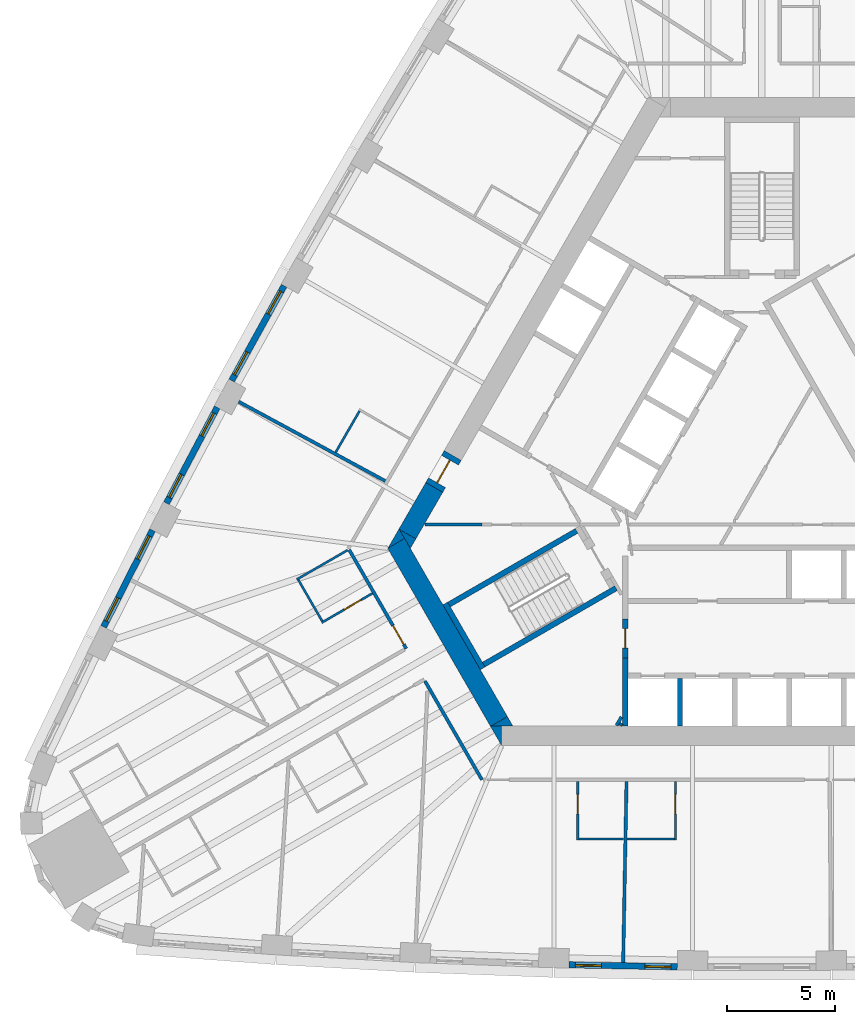
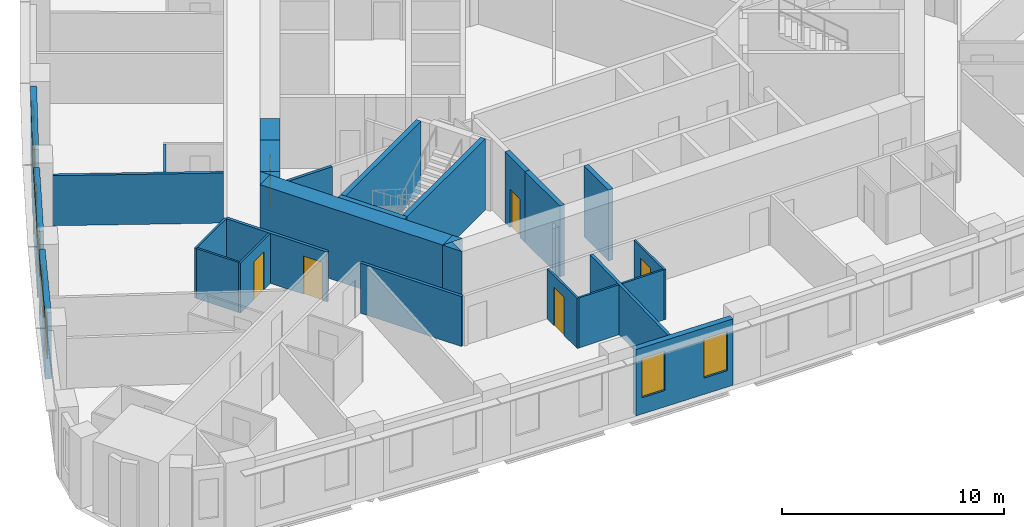
# One storey, part 4 of 13: 32 walls, 8 windows, 6 doors, 14 openings.
"""IFC4 building model written with IfcOpenShell, lengths in metres."""

from ifc_helpers import new_model, si_unit, direction, frame, frame_2d, origin, place, context, subcontext, project, spatial, polyline, rectangle, outline, extrude, material, layer, layer_set, type_object, element, fill, save


model = new_model("IFC4")

# Units and contexts
model_context = context("Model", 3, precision=1e-05, world=origin(), true_north=direction((0.0, 1.0)))
body_context = subcontext(model_context, "Body", "Model", "MODEL_VIEW")
ifc_project = project(units=[si_unit("LENGTHUNIT", "METRE"), si_unit("AREAUNIT", "SQUARE_METRE"), si_unit("VOLUMEUNIT", "CUBIC_METRE"), si_unit("PLANEANGLEUNIT", "RADIAN"), si_unit("MASSUNIT", "GRAM", prefix="KILO")], contexts=[model_context])

# Site, building, storey
site_placement = place(None, origin())
site = spatial("IfcSite", under=ifc_project, at=site_placement, CompositionType="ELEMENT")
building_placement = place(site_placement, origin())
building = spatial("IfcBuilding", under=site, at=building_placement, Name="Mestral Congress Tower", CompositionType="ELEMENT")
storey_placement = place(building_placement, frame((0.0, 0.0, 54.89990234375)))
storey = spatial("IfcBuildingStorey", under=building, at=storey_placement, Name="L12", CompositionType="ELEMENT", Elevation=54.89990234375)

# Walls
ifc_material_1 = material(Name="Fire-rated board partition")
ifc_layer_1 = layer(ifc_material_1, 0.14990234375)
ifc_layer_set_1 = layer_set([ifc_layer_1], Name="Fire-rated board partition")
wall_type_1 = type_object("IfcWallType", Name="Core partition 150", PredefinedType="PARTITIONING", material=ifc_layer_set_1)
wall_1_placement = place(storey_placement, frame((-6.707763671875, -12.068115234375, 0.0), z_axis=(0.0, 0.0, 1.0), x_axis=(0.500000789788, 0.8660249478, 0.0)))
element("IfcWall", 1, at=wall_1_placement, inside=storey, type_object=wall_type_1, Name="L12 core wall", PredefinedType="PARTITIONING", context=body_context, shape_type="SweptSolid", body=[
    extrude(rectangle(XDim=0.45556640625, YDim=0.14990234375, at=frame_2d((0.227783203125, 0.0))), origin(), (0.0, 0.0, 1.0), 2.75),
])
wall_2_placement = place(storey_placement, frame((-6.534423828125, -12.068115234375, 0.0), z_axis=(0.0, 0.0, 1.0), x_axis=(0.500240224089, 0.865886665912, 0.0)))
element("IfcWall", 2, at=wall_2_placement, inside=storey, type_object=wall_type_1, Name="L12 core wall", PredefinedType="PARTITIONING", context=body_context, shape_type="SweptSolid", body=[
    extrude(rectangle(XDim=0.10888671875, YDim=0.14990234375, at=frame_2d((0.054443359375, 0.0))), origin(), (0.0, 0.0, 1.0), 2.75),
])
wall_3_placement = place(storey_placement, frame((-12.9150390625, -2.800048828125, 0.0), z_axis=(0.0, 0.0, 1.0), x_axis=(-1.0, 0.0, 0.0)))
element("IfcWall", 3, at=wall_3_placement, inside=storey, type_object=wall_type_1, Name="L12 core wall", PredefinedType="PARTITIONING", context=body_context, shape_type="SweptSolid", body=[
    extrude(rectangle(XDim=2.63671875, YDim=0.14990234375, at=frame_2d((1.318359375, 0.0))), origin(), (0.0, 0.0, 1.0), 2.75),
])
ifc_material_2 = material(Name="Concrete C60/75", Category="concrete")
ifc_layer_2 = layer(ifc_material_2, 0.89990234375)
ifc_layer_set_2 = layer_set([ifc_layer_2], Name="Concrete C60/75")
wall_type_2 = type_object("IfcWallType", Name="Core wall RC 900", PredefinedType="SOLIDWALL", material=ifc_layer_set_2)
placement = place(storey_placement, origin())
element("IfcWall", 4, at=placement, inside=storey, type_object=wall_type_2, Name="L12 core wall", PredefinedType="SOLIDWALL", context=body_context, shape_type="SweptSolid", body=[
    extrude(outline(polyline([(-12.528564453125, -12.10009765625), (-12.0205078125, -12.10009765625), (-12.0205078125, -12.97998046875), (-12.528564453125, -12.10009765625)])), origin(), (0.0, 0.0, 1.0), 3.900146484375),
])
wall_5_placement = place(storey_placement, frame((-12.134033203125, -11.88330078125, 0.0), z_axis=(0.0, 0.0, 1.0), x_axis=(-0.500005339912, 0.866022320763, 0.0)))
element("IfcWall", 5, at=wall_5_placement, inside=storey, type_object=wall_type_2, Name="L12 core wall", PredefinedType="SOLIDWALL", context=body_context, shape_type="SweptSolid", body=[
    extrude(rectangle(XDim=9.48779296875, YDim=0.89990234375, at=frame_2d((4.743896484375, 0.0))), origin(), (0.0, 0.0, 1.0), 3.900146484375),
])
element("IfcWall", 6, at=placement, inside=storey, type_object=wall_type_2, Name="L12 core wall", PredefinedType="SOLIDWALL", context=body_context, shape_type="SweptSolid", body=[
    extrude(outline(polyline([(-16.4892578125, -3.43994140625), (-17.251220703125, -3.8798828125), (-16.7431640625, -3.0), (-16.4892578125, -3.43994140625)])), origin(), (0.0, 0.0, 1.0), 3.900146484375),
])
element("IfcWall", 7, at=placement, inside=storey, type_object=wall_type_2, Name="L12 core wall", PredefinedType="SOLIDWALL", context=body_context, shape_type="SweptSolid", body=[
    extrude(outline(polyline([(-11.4892578125, -12.10009765625), (-12.50537109375, -12.10009765625), (-11.743408203125, -11.66015625), (-11.4892578125, -12.10009765625)])), origin(), (0.0, 0.0, 1.0), 3.900146484375),
])
wall_8_placement = place(storey_placement, frame((-15.117919921875, -1.085205078125, 0.0), z_axis=(0.0, 0.0, 1.0), x_axis=(-0.50006606081, -0.865987260198, 0.0)))
element("IfcWall", 8, at=wall_8_placement, inside=storey, type_object=wall_type_2, Name="L12 core wall", PredefinedType="SOLIDWALL", context=body_context, shape_type="SweptSolid", body=[
    extrude(rectangle(XDim=2.480712890625, YDim=0.89990234375, at=frame_2d((1.240234375, 0.0))), origin(), (0.0, 0.0, 1.0), 3.900146484375),
])
element("IfcWall", 9, at=placement, inside=storey, type_object=wall_type_2, Name="L12 core wall", PredefinedType="SOLIDWALL", context=body_context, shape_type="SweptSolid", body=[
    extrude(outline(polyline([(-16.223388671875, -3.89990234375), (-16.731689453125, -3.02001953125), (-15.969482421875, -3.460205078125), (-16.223388671875, -3.89990234375)])), origin(), (0.0, 0.0, 1.0), 3.900146484375),
])

# Wall, opening, door
wall_10_placement = place(storey_placement, frame((-15.117919921875, -1.085205078125, 0.0), z_axis=(0.0, 0.0, 1.0), x_axis=(0.500000056704, 0.866025371046, 0.0)))
wall_10 = element("IfcWall", 10, at=wall_10_placement, inside=storey, type_object=wall_type_2, Name="L12 door wall", PredefinedType="SOLIDWALL", context=body_context, shape_type="SweptSolid", body=[
    extrude(rectangle(XDim=1.7001953125, YDim=0.89990234375, at=frame_2d((0.85009765625, 0.0))), origin(), (0.0, 0.0, 1.0), 3.900146484375),
])
opening_1_placement = place(wall_10_placement, frame((0.25, 0.0, 0.0)))
opening_1 = element("IfcOpeningElement", 11, at=opening_1_placement, cuts=wall_10, Name="Opening XD3", PredefinedType="OPENING", context=body_context, shape_type="SweptSolid", body=[
    extrude(rectangle(XDim=1.199951171875, YDim=2.10009765625, at=frame_2d((0.60009765625, 1.050048828125))), frame((0.0, 0.4599609375, 0.0), z_axis=(0.0, -1.0, 0.0), x_axis=(1.0, 0.0, 0.0)), (0.0, 0.0, 1.0), 0.919921875),
])
ifc_material_3 = material(Name="Fire-rated steel door set", Category="steel")
door_type_1 = type_object("IfcDoorType", Name="Core door XD 1200x2100", OperationType="SINGLE_SWING_LEFT", PredefinedType="DOOR", material=ifc_material_3)
door_1_placement = place(opening_1_placement, origin())
door_1 = element("IfcDoor", 12, at=door_1_placement, inside=storey, type_object=door_type_1, Name="Door XD3", OperationType="SINGLE_SWING_LEFT", OverallHeight=2.10009765625, OverallWidth=1.199951171875, PredefinedType="DOOR", context=body_context, shape_type="SweptSolid", body=[
    extrude(rectangle(XDim=1.199951171875, YDim=2.10009765625, at=frame_2d((0.60009765625, 1.050048828125))), frame((0.0, 0.02490234375, 0.0), z_axis=(0.0, -1.0, 0.0), x_axis=(1.0, 0.0, 0.0)), (0.0, 0.0, 1.0), 0.050048828125),
])
fill(opening_1, door_1)

# Wall, openings, windows
ifc_material_4 = material(Name="Precast concrete C40/50 with limestone facing", Category="masonry")
ifc_layer_3 = layer(ifc_material_4, 0.2900390625)
ifc_layer_set_3 = layer_set([ifc_layer_3], Name="Precast concrete C40/50 with limestone facing")
wall_type_3 = type_object("IfcWallType", Name="Facade stone wall 290", PredefinedType="SOLIDWALL", material=ifc_layer_set_3)
wall_11_placement = place(storey_placement, frame((-8.903564453125, -23.11279296875, 0.0), z_axis=(0.0, 0.0, 1.0), x_axis=(0.999829529479, -0.018463801951, 0.0)))
wall_11 = element("IfcWall", 13, at=wall_11_placement, inside=storey, type_object=wall_type_3, Name="Facade wall F0-03", PredefinedType="SOLIDWALL", context=body_context, shape_type="SweptSolid", body=[
    extrude(rectangle(XDim=4.998046875, YDim=0.2900390625, at=frame_2d((2.4990234375, 0.0))), origin(), (0.0, 0.0, 1.0), 3.650146484375),
])
opening_2_placement = place(wall_11_placement, frame((0.297119140625, 0.0, 0.89990234375)))
opening_2 = element("IfcOpeningElement", 14, at=opening_2_placement, cuts=wall_11, Name="Opening W1", PredefinedType="OPENING", context=body_context, shape_type="SweptSolid", body=[
    extrude(rectangle(XDim=1.199951171875, YDim=2.14990234375, at=frame_2d((0.60009765625, 1.074951171875))), frame((0.0, 0.155029296875, 0.0), z_axis=(0.0, -1.0, 0.0), x_axis=(1.0, 0.0, 0.0)), (0.0, 0.0, 1.0), 0.31005859375),
])
opening_3_placement = place(wall_11_placement, frame((3.501220703125, 0.0, 0.89990234375)))
opening_3 = element("IfcOpeningElement", 15, at=opening_3_placement, cuts=wall_11, Name="Opening W1", PredefinedType="OPENING", context=body_context, shape_type="SweptSolid", body=[
    extrude(rectangle(XDim=1.199951171875, YDim=2.14990234375, at=frame_2d((0.60009765625, 1.074951171875))), frame((0.0, 0.155029296875, 0.0), z_axis=(0.0, -1.0, 0.0), x_axis=(1.0, 0.0, 0.0)), (0.0, 0.0, 1.0), 0.31005859375),
])
ifc_material_5 = material(Name="Clear low-emissivity double glazing", Category="glass")
window_type = type_object("IfcWindowType", Name="Facade punched window 1200 x 2150 sill 900", PartitioningType="DOUBLE_PANEL_VERTICAL", PredefinedType="WINDOW", material=ifc_material_5)
window_1_placement = place(opening_2_placement, origin())
window_1 = element("IfcWindow", 16, at=window_1_placement, inside=storey, type_object=window_type, Name="Window F0-03a", OverallHeight=2.14990234375, OverallWidth=1.199951171875, PartitioningType="DOUBLE_PANEL_VERTICAL", PredefinedType="WINDOW", context=body_context, shape_type="SweptSolid", body=[
    extrude(rectangle(XDim=1.199951171875, YDim=2.14990234375, at=frame_2d((0.60009765625, 1.074951171875))), frame((0.0, 0.01513671875, 0.0), z_axis=(0.0, -1.0, 0.0), x_axis=(1.0, 0.0, 0.0)), (0.0, 0.0, 1.0), 0.06005859375),
])
fill(opening_2, window_1)
window_2_placement = place(opening_3_placement, origin())
window_2 = element("IfcWindow", 17, at=window_2_placement, inside=storey, type_object=window_type, Name="Window F0-03b", OverallHeight=2.14990234375, OverallWidth=1.199951171875, PartitioningType="DOUBLE_PANEL_VERTICAL", PredefinedType="WINDOW", context=body_context, shape_type="SweptSolid", body=[
    extrude(rectangle(XDim=1.199951171875, YDim=2.14990234375, at=frame_2d((0.60009765625, 1.074951171875))), frame((0.0, 0.01513671875, 0.0), z_axis=(0.0, -1.0, 0.0), x_axis=(1.0, 0.0, 0.0)), (0.0, 0.0, 1.0), 0.06005859375),
])
fill(opening_3, window_2)

wall_12_placement = place(storey_placement, frame((-22.049560546875, 8.2197265625, 0.0), z_axis=(0.0, 0.0, 1.0), x_axis=(-0.483912572871, -0.875116347589, 0.0)))
wall_12 = element("IfcWall", 18, at=wall_12_placement, inside=storey, type_object=wall_type_3, Name="Facade wall F2-05", PredefinedType="SOLIDWALL", context=body_context, shape_type="SweptSolid", body=[
    extrude(rectangle(XDim=4.998291015625, YDim=0.2900390625, at=frame_2d((2.4990234375, 0.0))), origin(), (0.0, 0.0, 1.0), 3.650146484375),
])
opening_4_placement = place(wall_12_placement, frame((0.297119140625, 0.0, 0.89990234375)))
opening_4 = element("IfcOpeningElement", 19, at=opening_4_placement, cuts=wall_12, Name="Opening W1", PredefinedType="OPENING", context=body_context, shape_type="SweptSolid", body=[
    extrude(rectangle(XDim=1.199951171875, YDim=2.14990234375, at=frame_2d((0.60009765625, 1.074951171875))), frame((0.0, 0.155029296875, 0.0), z_axis=(0.0, -1.0, 0.0), x_axis=(1.0, 0.0, 0.0)), (0.0, 0.0, 1.0), 0.31005859375),
])
opening_5_placement = place(wall_12_placement, frame((3.501220703125, 0.0, 0.89990234375)))
opening_5 = element("IfcOpeningElement", 20, at=opening_5_placement, cuts=wall_12, Name="Opening W1", PredefinedType="OPENING", context=body_context, shape_type="SweptSolid", body=[
    extrude(rectangle(XDim=1.199951171875, YDim=2.14990234375, at=frame_2d((0.60009765625, 1.074951171875))), frame((0.0, 0.155029296875, 0.0), z_axis=(0.0, -1.0, 0.0), x_axis=(1.0, 0.0, 0.0)), (0.0, 0.0, 1.0), 0.31005859375),
])
window_3_placement = place(opening_4_placement, origin())
window_3 = element("IfcWindow", 21, at=window_3_placement, inside=storey, type_object=window_type, Name="Window F2-05a", OverallHeight=2.14990234375, OverallWidth=1.199951171875, PartitioningType="DOUBLE_PANEL_VERTICAL", PredefinedType="WINDOW", context=body_context, shape_type="SweptSolid", body=[
    extrude(rectangle(XDim=1.199951171875, YDim=2.14990234375, at=frame_2d((0.60009765625, 1.074951171875))), frame((0.0, 0.01513671875, 0.0), z_axis=(0.0, -1.0, 0.0), x_axis=(1.0, 0.0, 0.0)), (0.0, 0.0, 1.0), 0.06005859375),
])
fill(opening_4, window_3)
window_4_placement = place(opening_5_placement, origin())
window_4 = element("IfcWindow", 22, at=window_4_placement, inside=storey, type_object=window_type, Name="Window F2-05b", OverallHeight=2.14990234375, OverallWidth=1.199951171875, PartitioningType="DOUBLE_PANEL_VERTICAL", PredefinedType="WINDOW", context=body_context, shape_type="SweptSolid", body=[
    extrude(rectangle(XDim=1.199951171875, YDim=2.14990234375, at=frame_2d((0.60009765625, 1.074951171875))), frame((0.0, 0.01513671875, 0.0), z_axis=(0.0, -1.0, 0.0), x_axis=(1.0, 0.0, 0.0)), (0.0, 0.0, 1.0), 0.06005859375),
])
fill(opening_5, window_4)

wall_13_placement = place(storey_placement, frame((-25.1376953125, 2.60791015625, 0.0), z_axis=(0.0, 0.0, 1.0), x_axis=(-0.467629620899, -0.883924509026, 0.0)))
wall_13 = element("IfcWall", 23, at=wall_13_placement, inside=storey, type_object=wall_type_3, Name="Facade wall F2-06", PredefinedType="SOLIDWALL", context=body_context, shape_type="SweptSolid", body=[
    extrude(rectangle(XDim=4.998291015625, YDim=0.2900390625, at=frame_2d((2.4990234375, 0.0))), origin(), (0.0, 0.0, 1.0), 3.650146484375),
])
opening_6_placement = place(wall_13_placement, frame((0.297119140625, 0.0, 0.89990234375)))
opening_6 = element("IfcOpeningElement", 24, at=opening_6_placement, cuts=wall_13, Name="Opening W1", PredefinedType="OPENING", context=body_context, shape_type="SweptSolid", body=[
    extrude(rectangle(XDim=1.199951171875, YDim=2.14990234375, at=frame_2d((0.60009765625, 1.074951171875))), frame((0.0, 0.155029296875, 0.0), z_axis=(0.0, -1.0, 0.0), x_axis=(1.0, 0.0, 0.0)), (0.0, 0.0, 1.0), 0.31005859375),
])
opening_7_placement = place(wall_13_placement, frame((3.501220703125, 0.0, 0.89990234375)))
opening_7 = element("IfcOpeningElement", 25, at=opening_7_placement, cuts=wall_13, Name="Opening W1", PredefinedType="OPENING", context=body_context, shape_type="SweptSolid", body=[
    extrude(rectangle(XDim=1.199951171875, YDim=2.14990234375, at=frame_2d((0.60009765625, 1.074951171875))), frame((0.0, 0.155029296875, 0.0), z_axis=(0.0, -1.0, 0.0), x_axis=(1.0, 0.0, 0.0)), (0.0, 0.0, 1.0), 0.31005859375),
])
window_5_placement = place(opening_6_placement, origin())
window_5 = element("IfcWindow", 26, at=window_5_placement, inside=storey, type_object=window_type, Name="Window F2-06a", OverallHeight=2.14990234375, OverallWidth=1.199951171875, PartitioningType="DOUBLE_PANEL_VERTICAL", PredefinedType="WINDOW", context=body_context, shape_type="SweptSolid", body=[
    extrude(rectangle(XDim=1.199951171875, YDim=2.14990234375, at=frame_2d((0.60009765625, 1.074951171875))), frame((0.0, 0.01513671875, 0.0), z_axis=(0.0, -1.0, 0.0), x_axis=(1.0, 0.0, 0.0)), (0.0, 0.0, 1.0), 0.06005859375),
])
fill(opening_6, window_5)
window_6_placement = place(opening_7_placement, origin())
window_6 = element("IfcWindow", 27, at=window_6_placement, inside=storey, type_object=window_type, Name="Window F2-06b", OverallHeight=2.14990234375, OverallWidth=1.199951171875, PartitioningType="DOUBLE_PANEL_VERTICAL", PredefinedType="WINDOW", context=body_context, shape_type="SweptSolid", body=[
    extrude(rectangle(XDim=1.199951171875, YDim=2.14990234375, at=frame_2d((0.60009765625, 1.074951171875))), frame((0.0, 0.01513671875, 0.0), z_axis=(0.0, -1.0, 0.0), x_axis=(1.0, 0.0, 0.0)), (0.0, 0.0, 1.0), 0.06005859375),
])
fill(opening_7, window_6)

wall_14_placement = place(storey_placement, frame((-28.12158203125, -3.06005859375, 0.0), z_axis=(0.0, 0.0, 1.0), x_axis=(-0.451233929645, -0.892405704115, 0.0)))
wall_14 = element("IfcWall", 28, at=wall_14_placement, inside=storey, type_object=wall_type_3, Name="Facade wall F2-07", PredefinedType="SOLIDWALL", context=body_context, shape_type="SweptSolid", body=[
    extrude(rectangle(XDim=4.998291015625, YDim=0.2900390625, at=frame_2d((2.4990234375, 0.0))), origin(), (0.0, 0.0, 1.0), 3.650146484375),
])
opening_8_placement = place(wall_14_placement, frame((0.297119140625, 0.0, 0.89990234375)))
opening_8 = element("IfcOpeningElement", 29, at=opening_8_placement, cuts=wall_14, Name="Opening W1", PredefinedType="OPENING", context=body_context, shape_type="SweptSolid", body=[
    extrude(rectangle(XDim=1.199951171875, YDim=2.14990234375, at=frame_2d((0.60009765625, 1.074951171875))), frame((0.0, 0.155029296875, 0.0), z_axis=(0.0, -1.0, 0.0), x_axis=(1.0, 0.0, 0.0)), (0.0, 0.0, 1.0), 0.31005859375),
])
opening_9_placement = place(wall_14_placement, frame((3.501220703125, 0.0, 0.89990234375)))
opening_9 = element("IfcOpeningElement", 30, at=opening_9_placement, cuts=wall_14, Name="Opening W1", PredefinedType="OPENING", context=body_context, shape_type="SweptSolid", body=[
    extrude(rectangle(XDim=1.199951171875, YDim=2.14990234375, at=frame_2d((0.60009765625, 1.074951171875))), frame((0.0, 0.155029296875, 0.0), z_axis=(0.0, -1.0, 0.0), x_axis=(1.0, 0.0, 0.0)), (0.0, 0.0, 1.0), 0.31005859375),
])
window_7_placement = place(opening_8_placement, origin())
window_7 = element("IfcWindow", 31, at=window_7_placement, inside=storey, type_object=window_type, Name="Window F2-07a", OverallHeight=2.14990234375, OverallWidth=1.199951171875, PartitioningType="DOUBLE_PANEL_VERTICAL", PredefinedType="WINDOW", context=body_context, shape_type="SweptSolid", body=[
    extrude(rectangle(XDim=1.199951171875, YDim=2.14990234375, at=frame_2d((0.60009765625, 1.074951171875))), frame((0.0, 0.01513671875, 0.0), z_axis=(0.0, -1.0, 0.0), x_axis=(1.0, 0.0, 0.0)), (0.0, 0.0, 1.0), 0.06005859375),
])
fill(opening_8, window_7)
window_8_placement = place(opening_9_placement, origin())
window_8 = element("IfcWindow", 32, at=window_8_placement, inside=storey, type_object=window_type, Name="Window F2-07b", OverallHeight=2.14990234375, OverallWidth=1.199951171875, PartitioningType="DOUBLE_PANEL_VERTICAL", PredefinedType="WINDOW", context=body_context, shape_type="SweptSolid", body=[
    extrude(rectangle(XDim=1.199951171875, YDim=2.14990234375, at=frame_2d((0.60009765625, 1.074951171875))), frame((0.0, 0.01513671875, 0.0), z_axis=(0.0, -1.0, 0.0), x_axis=(1.0, 0.0, 0.0)), (0.0, 0.0, 1.0), 0.06005859375),
])
fill(opening_9, window_8)

# Wall, opening, door
ifc_material_6 = material(Name="Gypsum board partition on metal studs with mineral wool", Category="composite")
ifc_layer_4 = layer(ifc_material_6, 0.10009765625)
ifc_layer_set_4 = layer_set([ifc_layer_4], Name="Gypsum board partition on metal studs with mineral wool")
wall_type_4 = type_object("IfcWallType", Name="Hotel partition wall 100", PredefinedType="PARTITIONING", material=ifc_layer_set_4)
wall_15_placement = place(storey_placement, frame((-8.501708984375, -14.64990234375, 0.0), z_axis=(0.0, 0.0, 1.0), x_axis=(0.0, -1.0, 0.0)))
wall_15 = element("IfcWall", 33, at=wall_15_placement, inside=storey, type_object=wall_type_4, Name="L12-h-pod03a", PredefinedType="PARTITIONING", context=body_context, shape_type="SweptSolid", body=[
    extrude(rectangle(XDim=2.7001953125, YDim=0.10009765625, at=frame_2d((1.35009765625, 0.0))), origin(), (0.0, 0.0, 1.0), 2.75),
])
opening_10_placement = place(wall_15_placement, frame((0.60009765625, 0.0, 0.0)))
opening_10 = element("IfcOpeningElement", 34, at=opening_10_placement, cuts=wall_15, Name="Opening H03-006", PredefinedType="OPENING", context=body_context, shape_type="SweptSolid", body=[
    extrude(rectangle(XDim=0.89990234375, YDim=2.10009765625, at=frame_2d((0.449951171875, 1.050048828125))), frame((0.0, 0.06005859375, 0.0), z_axis=(0.0, -1.0, 0.0), x_axis=(1.0, 0.0, 0.0)), (0.0, 0.0, 1.0), 0.1201171875),
])
ifc_material_7 = material(Name="Timber veneer door leaf in timber frame", Category="wood")
door_type_2 = type_object("IfcDoorType", Name="Bathroom door 900", OperationType="SINGLE_SWING_LEFT", PredefinedType="DOOR", material=ifc_material_7)
door_2_placement = place(opening_10_placement, origin())
door_2 = element("IfcDoor", 35, at=door_2_placement, inside=storey, type_object=door_type_2, Name="L12-h-d006", OperationType="SINGLE_SWING_RIGHT", OverallHeight=2.10009765625, OverallWidth=0.89990234375, PredefinedType="DOOR", context=body_context, shape_type="SweptSolid", body=[
    extrude(rectangle(XDim=0.89990234375, YDim=2.10009765625, at=frame_2d((0.449951171875, 1.050048828125))), frame((0.0, 0.02490234375, 0.0), z_axis=(0.0, -1.0, 0.0), x_axis=(1.0, 0.0, 0.0)), (0.0, 0.0, 1.0), 0.050048828125),
])
fill(opening_10, door_2)

# Wall
wall_16_placement = place(storey_placement, frame((-8.45166015625, -17.300048828125, 0.0), z_axis=(0.0, 0.0, 1.0), x_axis=(1.0, 0.0, 0.0)))
element("IfcWall", 36, at=wall_16_placement, inside=storey, type_object=wall_type_4, Name="L12-h-pod03b", PredefinedType="PARTITIONING", context=body_context, shape_type="SweptSolid", body=[
    extrude(rectangle(XDim=2.070068359375, YDim=0.10009765625, at=frame_2d((1.03515625, 0.0))), origin(), (0.0, 0.0, 1.0), 2.75),
])

# Wall, opening, door
wall_17_placement = place(storey_placement, frame((-3.994384765625, -17.35009765625, 0.0), z_axis=(0.0, 0.0, 1.0), x_axis=(0.0, 1.0, 0.0)))
wall_17 = element("IfcWall", 37, at=wall_17_placement, inside=storey, type_object=wall_type_4, Name="L12-h-pod04a", PredefinedType="PARTITIONING", context=body_context, shape_type="SweptSolid", body=[
    extrude(rectangle(XDim=2.7001953125, YDim=0.10009765625, at=frame_2d((1.35009765625, 0.0))), origin(), (0.0, 0.0, 1.0), 2.75),
])
opening_11_placement = place(wall_17_placement, frame((1.199951171875, 0.0, 0.0)))
opening_11 = element("IfcOpeningElement", 38, at=opening_11_placement, cuts=wall_17, Name="Opening H03-008", PredefinedType="OPENING", context=body_context, shape_type="SweptSolid", body=[
    extrude(rectangle(XDim=0.89990234375, YDim=2.10009765625, at=frame_2d((0.449951171875, 1.050048828125))), frame((0.0, 0.06005859375, 0.0), z_axis=(0.0, -1.0, 0.0), x_axis=(1.0, 0.0, 0.0)), (0.0, 0.0, 1.0), 0.1201171875),
])
door_3_placement = place(opening_11_placement, origin())
door_3 = element("IfcDoor", 39, at=door_3_placement, inside=storey, type_object=door_type_2, Name="L12-h-d008", OperationType="SINGLE_SWING_LEFT", OverallHeight=2.10009765625, OverallWidth=0.89990234375, PredefinedType="DOOR", context=body_context, shape_type="SweptSolid", body=[
    extrude(rectangle(XDim=0.89990234375, YDim=2.10009765625, at=frame_2d((0.449951171875, 1.050048828125))), frame((0.0, 0.02490234375, 0.0), z_axis=(0.0, -1.0, 0.0), x_axis=(1.0, 0.0, 0.0)), (0.0, 0.0, 1.0), 0.050048828125),
])
fill(opening_11, door_3)

# Walls
wall_18_placement = place(storey_placement, frame((-4.044189453125, -17.300048828125, 0.0), z_axis=(0.0, 0.0, 1.0), x_axis=(-1.0, 0.0, 0.0)))
element("IfcWall", 40, at=wall_18_placement, inside=storey, type_object=wall_type_4, Name="L12-h-pod04b", PredefinedType="PARTITIONING", context=body_context, shape_type="SweptSolid", body=[
    extrude(rectangle(XDim=2.170166015625, YDim=0.10009765625, at=frame_2d((1.0849609375, 0.0))), origin(), (0.0, 0.0, 1.0), 2.75),
])
wall_19_placement = place(storey_placement, frame((-18.5673828125, 2.440673828125, 0.0), z_axis=(0.0, 0.0, 1.0), x_axis=(-0.499946605688, -0.86605622881, 0.0)))
element("IfcWall", 41, at=wall_19_placement, inside=storey, type_object=wall_type_4, Name="L12-h-pod23b", PredefinedType="PARTITIONING", context=body_context, shape_type="SweptSolid", body=[
    extrude(rectangle(XDim=2.199951171875, YDim=0.10009765625, at=frame_2d((1.10009765625, 0.0))), origin(), (0.0, 0.0, 1.0), 2.75),
])

# Wall, opening, door
wall_20_placement = place(storey_placement, frame((-20.3095703125, -7.32275390625, 0.0), z_axis=(0.0, 0.0, 1.0), x_axis=(0.86599734893, 0.500048589285, 0.0)))
wall_20 = element("IfcWall", 42, at=wall_20_placement, inside=storey, type_object=wall_type_4, Name="L12-h-pod24a", PredefinedType="PARTITIONING", context=body_context, shape_type="SweptSolid", body=[
    extrude(rectangle(XDim=2.699951171875, YDim=0.10009765625, at=frame_2d((1.35009765625, 0.0))), origin(), (0.0, 0.0, 1.0), 2.75),
])
opening_12_placement = place(wall_20_placement, frame((1.199951171875, 0.0, 0.0)))
opening_12 = element("IfcOpeningElement", 43, at=opening_12_placement, cuts=wall_20, Name="Opening H03-046", PredefinedType="OPENING", context=body_context, shape_type="SweptSolid", body=[
    extrude(rectangle(XDim=0.89990234375, YDim=2.10009765625, at=frame_2d((0.449951171875, 1.050048828125))), frame((0.0, 0.06005859375, 0.0), z_axis=(0.0, -1.0, 0.0), x_axis=(1.0, 0.0, 0.0)), (0.0, 0.0, 1.0), 0.1201171875),
])
door_4_placement = place(opening_12_placement, origin())
door_4 = element("IfcDoor", 44, at=door_4_placement, inside=storey, type_object=door_type_2, Name="L12-h-d046", OperationType="SINGLE_SWING_RIGHT", OverallHeight=2.10009765625, OverallWidth=0.89990234375, PredefinedType="DOOR", context=body_context, shape_type="SweptSolid", body=[
    extrude(rectangle(XDim=0.89990234375, YDim=2.10009765625, at=frame_2d((0.449951171875, 1.050048828125))), frame((0.0, 0.02490234375, 0.0), z_axis=(0.0, -1.0, 0.0), x_axis=(1.0, 0.0, 0.0)), (0.0, 0.0, 1.0), 0.050048828125),
])
fill(opening_12, door_4)

# Walls
wall_21_placement = place(storey_placement, frame((-20.291259765625, -7.25439453125, 0.0), z_axis=(0.0, 0.0, 1.0), x_axis=(-0.50002983664, 0.866008176907, 0.0)))
element("IfcWall", 45, at=wall_21_placement, inside=storey, type_object=wall_type_4, Name="L12-h-pod24b", PredefinedType="PARTITIONING", context=body_context, shape_type="SweptSolid", body=[
    extrude(rectangle(XDim=2.199951171875, YDim=0.10009765625, at=frame_2d((1.10009765625, 0.0))), origin(), (0.0, 0.0, 1.0), 2.75),
])
wall_22_placement = place(storey_placement, frame((-19.121337890625, -3.980712890625, 0.0), z_axis=(0.0, 0.0, 1.0), x_axis=(-0.866019956843, -0.50000943426, 0.0)))
element("IfcWall", 46, at=wall_22_placement, inside=storey, type_object=wall_type_4, Name="L12-h-pod24c", PredefinedType="PARTITIONING", context=body_context, shape_type="SweptSolid", body=[
    extrude(rectangle(XDim=2.7001953125, YDim=0.10009765625, at=frame_2d((1.35009765625, 0.0))), origin(), (0.0, 0.0, 1.0), 2.75),
])

# Wall, opening, door
ifc_layer_5 = layer(ifc_material_6, 0.14990234375)
ifc_layer_set_5 = layer_set([ifc_layer_5], Name="Gypsum board partition on metal studs with mineral wool")
wall_type_5 = type_object("IfcWallType", Name="Hotel partition wall 150", PredefinedType="PARTITIONING", material=ifc_layer_set_5)
wall_23_placement = place(storey_placement, frame((-16.412353515625, -8.52294921875, 0.0), z_axis=(0.0, 0.0, 1.0), x_axis=(-0.500001929737, 0.866024289647, 0.0)))
wall_23 = element("IfcWall", 47, at=wall_23_placement, inside=storey, type_object=wall_type_5, Name="L12-h-cw09", PredefinedType="PARTITIONING", context=body_context, shape_type="SweptSolid", body=[
    extrude(rectangle(XDim=5.26806640625, YDim=0.14990234375, at=frame_2d((2.634033203125, 0.0))), origin(), (0.0, 0.0, 1.0), 2.75),
])
opening_13_placement = place(wall_23_placement, frame((0.22607421875, 0.0, 0.0)))
opening_13 = element("IfcOpeningElement", 48, at=opening_13_placement, cuts=wall_23, Name="Opening H03-045", PredefinedType="OPENING", context=body_context, shape_type="SweptSolid", body=[
    extrude(rectangle(XDim=1.0, YDim=2.10009765625, at=frame_2d((0.5, 1.050048828125))), frame((0.0, 0.0849609375, 0.0), z_axis=(0.0, -1.0, 0.0), x_axis=(1.0, 0.0, 0.0)), (0.0, 0.0, 1.0), 0.169921875),
])
ifc_material_8 = material(Name="Timber veneer door leaf in metal frame", Category="wood")
door_type_3 = type_object("IfcDoorType", Name="Guest room entrance door 1000", OperationType="SINGLE_SWING_LEFT", PredefinedType="DOOR", material=ifc_material_8)
door_5_placement = place(opening_13_placement, origin())
door_5 = element("IfcDoor", 49, at=door_5_placement, inside=storey, type_object=door_type_3, Name="L12-h-d045", OperationType="SINGLE_SWING_LEFT", OverallHeight=2.10009765625, OverallWidth=1.0, PredefinedType="DOOR", context=body_context, shape_type="SweptSolid", body=[
    extrude(rectangle(XDim=1.0, YDim=2.10009765625, at=frame_2d((0.5, 1.050048828125))), frame((0.0, 0.02490234375, 0.0), z_axis=(0.0, -1.0, 0.0), x_axis=(1.0, 0.0, 0.0)), (0.0, 0.0, 1.0), 0.050048828125),
])
fill(opening_13, door_5)

# Walls
wall_24_placement = place(storey_placement, frame((-12.918212890625, -14.574951171875, 0.0), z_axis=(0.0, 0.0, 1.0), x_axis=(-0.500009150678, 0.866020120573, 0.0)))
element("IfcWall", 50, at=wall_24_placement, inside=storey, type_object=wall_type_5, Name="L12-h-cw12", PredefinedType="PARTITIONING", context=body_context, shape_type="SweptSolid", body=[
    extrude(rectangle(XDim=5.25830078125, YDim=0.14990234375, at=frame_2d((2.629150390625, 0.0))), origin(), (0.0, 0.0, 1.0), 2.75),
])
wall_25_placement = place(storey_placement, frame((-24.14453125, 2.87060546875, 0.0), z_axis=(0.0, 0.0, 1.0), x_axis=(0.879551725039, -0.475803281809, 0.0)))
element("IfcWall", 51, at=wall_25_placement, inside=storey, type_object=wall_type_5, Name="L12-h-pw05", PredefinedType="PARTITIONING", context=body_context, shape_type="SweptSolid", body=[
    extrude(rectangle(XDim=7.68798828125, YDim=0.14990234375, at=frame_2d((3.843994140625, 0.0))), origin(), (0.0, 0.0, 1.0), 2.75),
])
wall_26_placement = place(storey_placement, frame((-6.40234375, -23.013916015625, 0.0), z_axis=(0.0, 0.0, 1.0), x_axis=(0.01849587109, 0.999828936745, 0.0)))
element("IfcWall", 52, at=wall_26_placement, inside=storey, type_object=wall_type_5, Name="L12-h-pw10", PredefinedType="PARTITIONING", context=body_context, shape_type="SweptSolid", body=[
    extrude(rectangle(XDim=8.35546875, YDim=0.14990234375, at=frame_2d((4.177734375, 0.0))), origin(), (0.0, 0.0, 1.0), 2.75),
])
ifc_layer_6 = layer(ifc_material_2, 0.25)
ifc_layer_set_6 = layer_set([ifc_layer_6], Name="Concrete C60/75")
wall_type_6 = type_object("IfcWallType", Name="Shaft wall RC 250", PredefinedType="SOLIDWALL", material=ifc_layer_set_6)
wall_27_placement = place(storey_placement, frame((-3.780029296875, -12.10009765625, 0.0), z_axis=(0.0, 0.0, 1.0), x_axis=(0.0, 1.0, 0.0)))
element("IfcWall", 53, at=wall_27_placement, inside=storey, type_object=wall_type_6, Name="L12 core wall", PredefinedType="SOLIDWALL", context=body_context, shape_type="SweptSolid", body=[
    extrude(rectangle(XDim=2.199951171875, YDim=0.25, at=frame_2d((1.10009765625, 0.0))), origin(), (0.0, 0.0, 1.0), 3.900146484375),
])
wall_28_placement = place(storey_placement, frame((-6.300048828125, -12.10009765625, 0.0), z_axis=(0.0, 0.0, 1.0), x_axis=(0.0, 1.0, 0.0)))
element("IfcWall", 54, at=wall_28_placement, inside=storey, type_object=wall_type_6, Name="L12 core wall", PredefinedType="SOLIDWALL", context=body_context, shape_type="SweptSolid", body=[
    extrude(rectangle(XDim=3.1455078125, YDim=0.25, at=frame_2d((1.57275390625, 0.0))), origin(), (0.0, 0.0, 1.0), 3.900146484375),
])

# Wall, opening, door
wall_29_placement = place(storey_placement, frame((-6.300048828125, -7.154296875, 0.0), z_axis=(0.0, 0.0, 1.0), x_axis=(0.0, -1.0, 0.0)))
wall_29 = element("IfcWall", 55, at=wall_29_placement, inside=storey, type_object=wall_type_6, Name="L12 door wall", PredefinedType="SOLIDWALL", context=body_context, shape_type="SweptSolid", body=[
    extrude(rectangle(XDim=1.800048828125, YDim=0.25, at=frame_2d((0.89990234375, 0.0))), origin(), (0.0, 0.0, 1.0), 3.900146484375),
])
opening_14_placement = place(wall_29_placement, frame((0.449951171875, 0.0, 0.0)))
opening_14 = element("IfcOpeningElement", 56, at=opening_14_placement, cuts=wall_29, Name="Opening TD3", PredefinedType="OPENING", context=body_context, shape_type="SweptSolid", body=[
    extrude(rectangle(XDim=0.89990234375, YDim=2.10009765625, at=frame_2d((0.449951171875, 1.050048828125))), frame((0.0, 0.135009765625, 0.0), z_axis=(0.0, -1.0, 0.0), x_axis=(1.0, 0.0, 0.0)), (0.0, 0.0, 1.0), 0.27001953125),
])
door_type_4 = type_object("IfcDoorType", Name="Core door SR 900x2100", OperationType="SINGLE_SWING_LEFT", PredefinedType="DOOR", material=ifc_material_3)
door_6_placement = place(opening_14_placement, origin())
door_6 = element("IfcDoor", 57, at=door_6_placement, inside=storey, type_object=door_type_4, Name="Door TD3", OperationType="SINGLE_SWING_LEFT", OverallHeight=2.10009765625, OverallWidth=0.89990234375, PredefinedType="DOOR", context=body_context, shape_type="SweptSolid", body=[
    extrude(rectangle(XDim=0.89990234375, YDim=2.10009765625, at=frame_2d((0.449951171875, 1.050048828125))), frame((0.0, 0.02490234375, 0.0), z_axis=(0.0, -1.0, 0.0), x_axis=(1.0, 0.0, 0.0)), (0.0, 0.0, 1.0), 0.050048828125),
])
fill(opening_14, door_6)

# Walls
ifc_layer_7 = layer(ifc_material_2, 0.25)
ifc_layer_set_7 = layer_set([ifc_layer_7], Name="Concrete C60/75")
wall_type_7 = type_object("IfcWallType", Name="Stair wall RC 250", PredefinedType="SOLIDWALL", material=ifc_layer_set_7)
wall_30_placement = place(storey_placement, frame((-12.885498046875, -9.431396484375, 0.0), z_axis=(0.0, 0.0, 1.0), x_axis=(-0.500020560727, 0.866013532718, 0.0)))
element("IfcWall", 58, at=wall_30_placement, inside=storey, type_object=wall_type_7, Name="L12 core wall", PredefinedType="SOLIDWALL", context=body_context, shape_type="SweptSolid", body=[
    extrude(rectangle(XDim=3.449951171875, YDim=0.25, at=frame_2d((1.72509765625, 0.0))), origin(), (0.0, 0.0, 1.0), 3.900146484375),
])
wall_31_placement = place(storey_placement, frame((-14.43994140625, -6.489501953125, 0.0), z_axis=(0.0, 0.0, 1.0), x_axis=(0.866022966069, 0.500004222222, 0.0)))
element("IfcWall", 59, at=wall_31_placement, inside=storey, type_object=wall_type_7, Name="L12 core wall", PredefinedType="SOLIDWALL", context=body_context, shape_type="SweptSolid", body=[
    extrude(rectangle(XDim=6.80029296875, YDim=0.25, at=frame_2d((3.400146484375, 0.0))), origin(), (0.0, 0.0, 1.0), 3.900146484375),
])
wall_32_placement = place(storey_placement, frame((-12.83984375, -9.2607421875, 0.0), z_axis=(0.0, 0.0, 1.0), x_axis=(0.866016039709, 0.500016218704, 0.0)))
element("IfcWall", 60, at=wall_32_placement, inside=storey, type_object=wall_type_7, Name="L12 core wall", PredefinedType="SOLIDWALL", context=body_context, shape_type="SweptSolid", body=[
    extrude(rectangle(XDim=7.050048828125, YDim=0.25, at=frame_2d((3.52490234375, 0.0))), origin(), (0.0, 0.0, 1.0), 3.900146484375),
])

save(model, "model.ifc")
